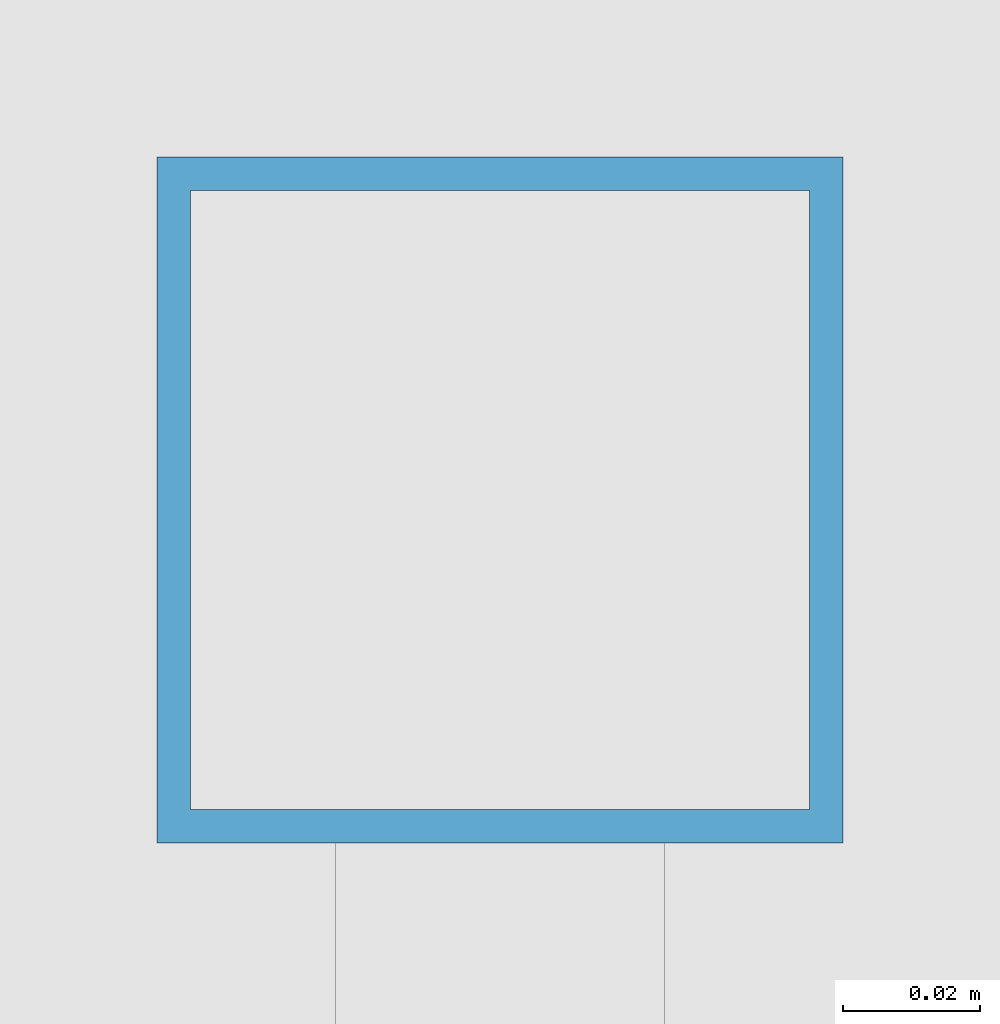
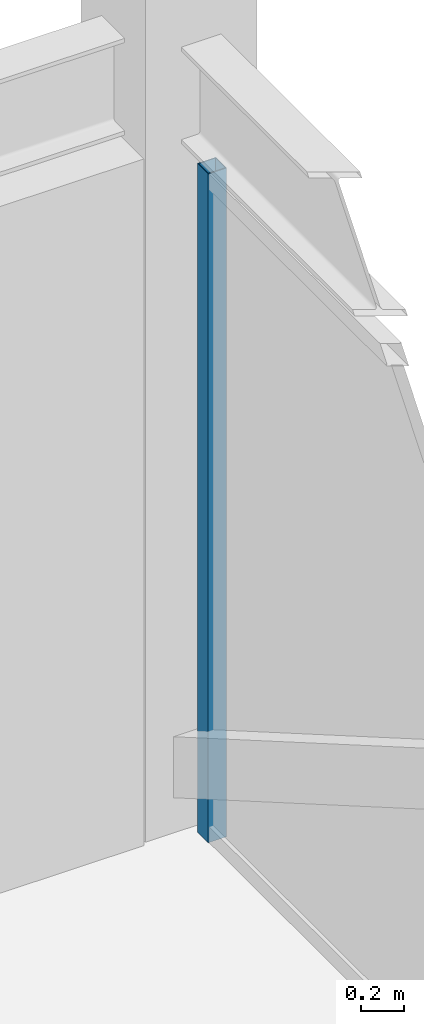
# One storey, part 20 of 27: 1 member, 1 element without a shape of its own.
"""IFC4 building model written with IfcOpenShell, lengths in metres."""

from ifc_helpers import new_model, si_unit, direction, frame, origin, origin_2d, place, context, subcontext, project, spatial, hollow_rectangle, extrude, source, transform, mapped, material, material_profile, profile_set, type_object, element, aggregate, save


model = new_model("IFC4")

# Units and contexts
model_context = context("Model", 3, precision=1e-05, world=origin(), true_north=direction((0.0, 1.0)))
body_context = subcontext(model_context, "Body", "Model", "MODEL_VIEW")
ifc_project = project(units=[si_unit("LENGTHUNIT", "METRE"), si_unit("AREAUNIT", "SQUARE_METRE"), si_unit("VOLUMEUNIT", "CUBIC_METRE"), si_unit("PLANEANGLEUNIT", "RADIAN"), si_unit("MASSUNIT", "GRAM", prefix="KILO")], contexts=[model_context])

# Site, building, storey
site_placement = place(None, origin())
site = spatial("IfcSite", under=ifc_project, at=site_placement, CompositionType="ELEMENT")
building_placement = place(site_placement, origin())
building = spatial("IfcBuilding", under=site, at=building_placement, Name="Khorayat Bourse Tower", CompositionType="ELEMENT")
storey_placement = place(building_placement, frame((0.0, 0.0, 389.89990234375)))
storey = spatial("IfcBuildingStorey", under=building, at=storey_placement, Name="L92", CompositionType="ELEMENT", Elevation=389.89990234375)

# Curtain wall, member
ifc_material = material(Name="Aluminium EN AW-6063 T6", Category="aluminium")
curtain_wall_type = type_object("IfcCurtainWallType", Name="CW-SYS-07", PredefinedType="NOTDEFINED", material=ifc_material)
curtain_wall_placement = place(storey_placement, origin())
curtain_wall = element("IfcCurtainWall", 1, at=curtain_wall_placement, inside=storey, type_object=curtain_wall_type, Name="L92 Curtain Wall CW-L92-E1", PredefinedType="NOTDEFINED")
ifc_material_profile = material_profile(ifc_material, hollow_rectangle(XDim=0.10009765625, YDim=0.10009765625, WallThickness=0.0048828125, at=origin_2d()), Name="ALU 100x100x5")
ifc_profile_set = profile_set([ifc_material_profile], Name="Aluminium EN AW-6063 T6")
member_type = type_object("IfcMemberType", Name="CWM-LANTERN-100", PredefinedType="MULLION", material=ifc_profile_set)
shared_shape = source(origin(), body_context, "Body", "SweptSolid", [
    extrude(hollow_rectangle(XDim=0.10009765625, YDim=0.10009765625, WallThickness=0.0048828125, at=origin_2d()), origin(), (0.0, 0.0, 1.0), 3.800048828125),
])
member_placement = place(storey_placement, frame((24.0, 17.60009765625, 0.0), z_axis=(0.0, 0.0, 1.0), x_axis=(-1.0, 0.0, 0.0)))
member = element("IfcMember", 2, at=member_placement, type_object=member_type, Name="CW-L92-E1 Vertical Mullion 3", PredefinedType="MULLION", context=body_context, shape_type="MappedRepresentation", body=[
    mapped(shared_shape, transform((0.0, 0.0, 0.0), scale=1.0)),
])
aggregate(curtain_wall, [member])

save(model, "model.ifc")
